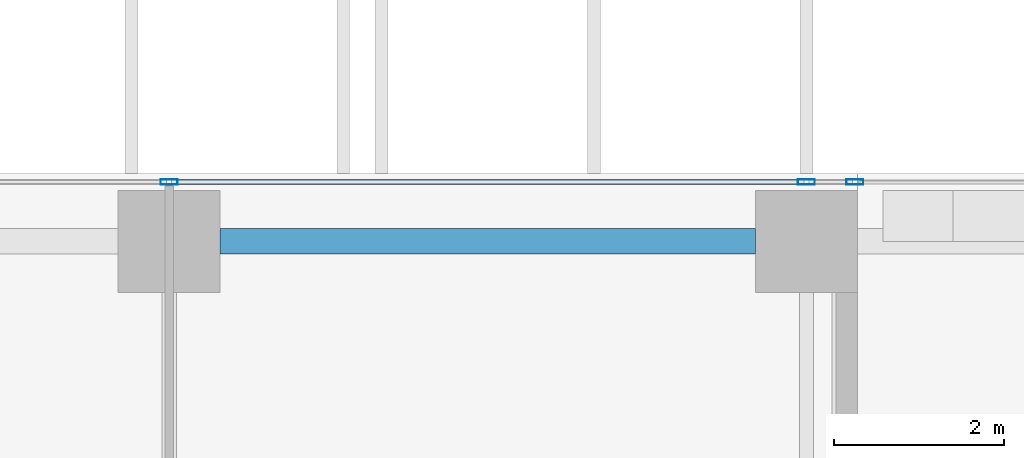
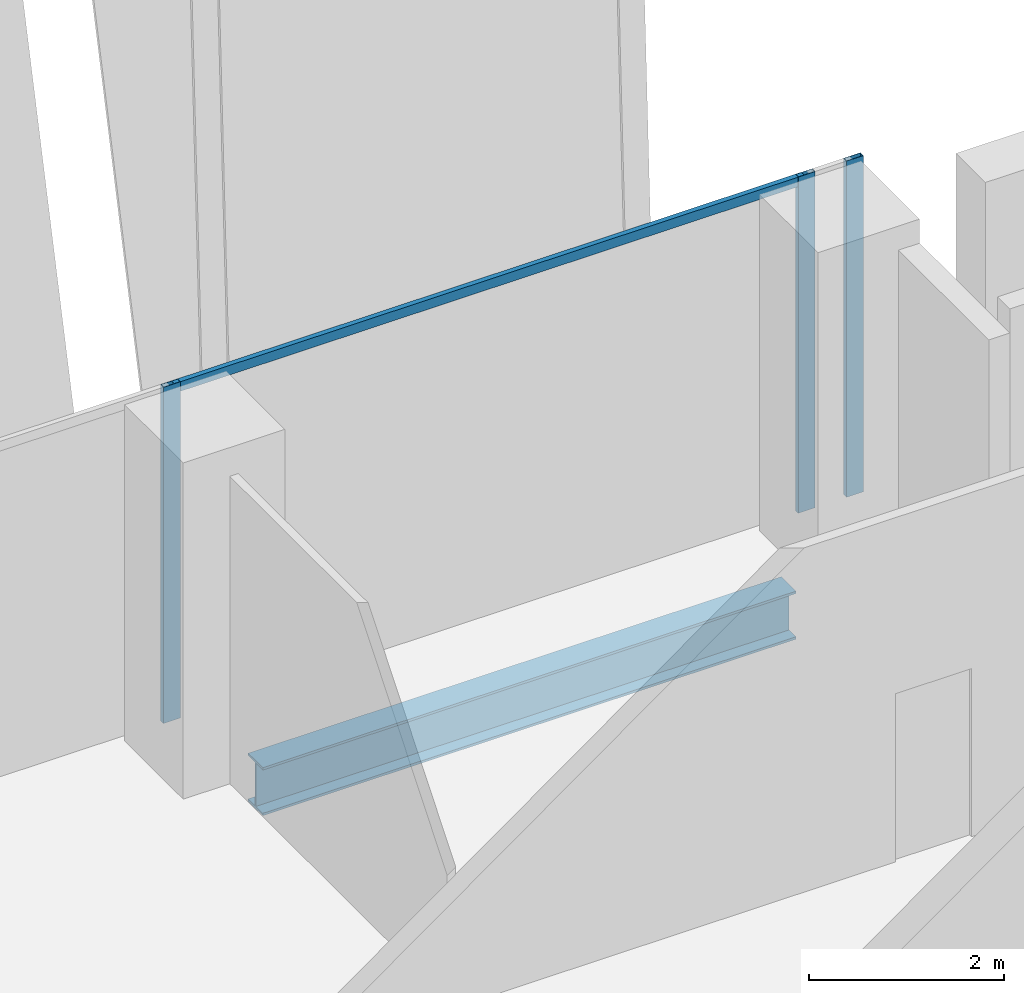
# One storey, part 15 of 35: 4 members, 1 beam, 1 element without a shape of its own.
"""IFC4 building model written with IfcOpenShell, lengths in metres."""

import ifcopenshell
import ifcopenshell.guid

model = None  # the IFC model being written
_history = None  # IfcOwnerHistory: only IFC2X3 demands one
_inside = {}  # id of a spatial element -> (the spatial element, [elements in it])
_under = {}  # id of a project, library or spatial element -> (it, [spatial elements below it])
_declared = {}  # id of a project -> (the project, [libraries it declares])
_typed = {}  # id of a type object -> (the type object, [elements of that type])
_made_of = {}  # id of a material, layer set ... -> (it, [elements and type objects made of it])


def new_model(schema):
    """Start an empty IFC model of exactly this schema.

    Asked for "IFC4X3", IfcOpenShell would pick the latest addendum, in which some entities
    have other attributes; the version numbers below select the first issue.
    IFC2X3 requires an IfcOwnerHistory on every rooted entity: one is made here for all.
    """
    global model, _history
    if schema == "IFC4X3":
        model = ifcopenshell.file(schema_version=(4, 3, 0, 0))
    else:
        model = ifcopenshell.file(schema=schema)
    _inside.clear()
    _under.clear()
    _declared.clear()
    _typed.clear()
    _made_of.clear()
    _history = None
    if model.schema == "IFC2X3":
        org = make("IfcOrganization", Name="unknown")
        user = make(
            "IfcPersonAndOrganization",
            ThePerson=make("IfcPerson", FamilyName="unknown"),
            TheOrganization=org,
        )
        app = make(
            "IfcApplication",
            ApplicationDeveloper=org,
            Version="unknown",
            ApplicationFullName="unknown",
            ApplicationIdentifier="unknown",
        )
        _history = make(
            "IfcOwnerHistory",
            OwningUser=user,
            OwningApplication=app,
            ChangeAction="ADDED",
            CreationDate=0,
        )
    return model


def make(cls, **values):
    """One entity of the class cls with the attributes given. An attribute that is None is left unset."""
    return model.create_entity(
        cls, **{name: value for name, value in values.items() if value is not None}
    )


def rooted(cls, **values):
    """An entity with a GlobalId (a new one), such as an element, a storey or a relation."""
    return make(cls, GlobalId=ifcopenshell.guid.new(), OwnerHistory=_history, **values)


def si_unit(unit_type, name, prefix=None):
    """IfcSIUnit, for example si_unit("LENGTHUNIT", "METRE", prefix="MILLI")."""
    return make("IfcSIUnit", UnitType=unit_type, Prefix=prefix, Name=name)


def assignment(units):
    """IfcUnitAssignment: the units of a project."""
    return None if units is None else make("IfcUnitAssignment", Units=units)


def point(xyz):
    """IfcCartesianPoint."""
    return None if xyz is None else make("IfcCartesianPoint", Coordinates=xyz)


def direction(xyz):
    """IfcDirection."""
    return None if xyz is None else make("IfcDirection", DirectionRatios=xyz)


def frame(location, z_axis=None, x_axis=None):
    """IfcAxis2Placement3D, a coordinate frame: its origin and axes. An axis left out is left unset."""
    return make(
        "IfcAxis2Placement3D",
        Location=point(location),
        Axis=direction(z_axis),
        RefDirection=direction(x_axis),
    )


def frame_2d(location, x_axis=None):
    """IfcAxis2Placement2D, a coordinate frame in the plane: its origin and x axis."""
    return make(
        "IfcAxis2Placement2D", Location=point(location), RefDirection=direction(x_axis)
    )


def origin():
    """The frame at (0, 0, 0) with its axes left unset."""
    return frame((0.0, 0.0, 0.0))


def origin_2d():
    """The frame at (0, 0) in the plane with its x axis left unset."""
    return frame_2d((0.0, 0.0))


def place(relative_to, where):
    """IfcLocalPlacement: puts the frame where relative to a parent placement (None: the world)."""
    return make(
        "IfcLocalPlacement", PlacementRelTo=relative_to, RelativePlacement=where
    )


def context(
    kind, dimensions, precision=None, world=None, true_north=None, identifier=None
):
    """IfcGeometricRepresentationContext, for example the 3D "Model" context."""
    return make(
        "IfcGeometricRepresentationContext",
        ContextIdentifier=identifier,
        ContextType=kind,
        CoordinateSpaceDimension=dimensions,
        Precision=precision,
        WorldCoordinateSystem=world,
        TrueNorth=true_north,
    )


def subcontext(parent, identifier, kind, view, scale=None):
    """IfcGeometricRepresentationSubContext, for example "Body" below "Model"."""
    return make(
        "IfcGeometricRepresentationSubContext",
        ContextIdentifier=identifier,
        ContextType=kind,
        ParentContext=parent,
        TargetScale=scale,
        TargetView=view,
    )


def project(units=None, contexts=None):
    """IfcProject with its units and contexts."""
    return rooted(
        "IfcProject",
        Name="project",
        RepresentationContexts=contexts,
        UnitsInContext=assignment(units),
    )


def spatial(cls, under=None, at=None, **own):
    """A site, building, storey or space (cls), placed at a placement, below another one or the project."""
    s = rooted(cls, ObjectPlacement=at, **own)
    if under is not None:
        _under.setdefault(under.id(), (under, []))[1].append(s)
    return s


def profile(cls, at=None, kind="AREA", **sizes):
    """A parametric profile (cls). Its sizes go by their IFC names, for example OverallWidth=200.0."""
    return make(cls, ProfileType=kind, Position=at, **sizes)


def hollow_rectangle(**sizes):
    """IfcRectangleHollowProfileDef."""
    return profile("IfcRectangleHollowProfileDef", **sizes)


def i_section(**sizes):
    """IfcIShapeProfileDef."""
    return profile("IfcIShapeProfileDef", **sizes)


def extrude(swept, where, along, depth):
    """IfcExtrudedAreaSolid: the profile swept, set in the frame where, extruded along a direction by depth."""
    return make(
        "IfcExtrudedAreaSolid",
        SweptArea=swept,
        Position=where,
        ExtrudedDirection=direction(along),
        Depth=depth,
    )


def shape(context_of_items, identifier, shape_type, items):
    """IfcShapeRepresentation: the items that make up one representation, for example the "Body"."""
    return make(
        "IfcShapeRepresentation",
        ContextOfItems=context_of_items,
        RepresentationIdentifier=identifier,
        RepresentationType=shape_type,
        Items=items,
    )


def source(mapping_origin, context_of_items, identifier, shape_type, items):
    """IfcRepresentationMap: a shape defined once, which mapped items show again and again."""
    return make(
        "IfcRepresentationMap",
        MappingOrigin=mapping_origin,
        MappedRepresentation=shape(context_of_items, identifier, shape_type, items),
    )


def transform(
    local_origin,
    x_axis=None,
    y_axis=None,
    z_axis=None,
    scale=None,
    scale2=None,
    scale3=None,
    uniform=True,
):
    """IfcCartesianTransformationOperator3D, or its non-uniform kind. x_axis, y_axis, z_axis: its Axis1, 2, 3."""
    if uniform:
        return make(
            "IfcCartesianTransformationOperator3D",
            Axis1=direction(x_axis),
            Axis2=direction(y_axis),
            LocalOrigin=point(local_origin),
            Scale=scale,
            Axis3=direction(z_axis),
        )
    return make(
        "IfcCartesianTransformationOperator3DnonUniform",
        Axis1=direction(x_axis),
        Axis2=direction(y_axis),
        LocalOrigin=point(local_origin),
        Scale=scale,
        Axis3=direction(z_axis),
        Scale2=scale2,
        Scale3=scale3,
    )


def mapped(mapping_source, mapping_target):
    """IfcMappedItem: shows the shape of a source again, moved by a transform."""
    return make(
        "IfcMappedItem", MappingSource=mapping_source, MappingTarget=mapping_target
    )


def material(Name=None, Category=None):
    """IfcMaterial."""
    return make("IfcMaterial", Name=Name, Category=Category)


def material_profile(
    of_material, cross_section, Name=None, Category=None, Priority=None
):
    """IfcMaterialProfile: a cross section and its material."""
    return make(
        "IfcMaterialProfile",
        Name=Name,
        Material=of_material,
        Profile=cross_section,
        Priority=Priority,
        Category=Category,
    )


def profile_set(profiles, Name=None, composite=None):
    """IfcMaterialProfileSet."""
    return make(
        "IfcMaterialProfileSet",
        Name=Name,
        MaterialProfiles=profiles,
        CompositeProfile=composite,
    )


def made_of(thing, what):
    """Note that an element or type object is made of a material, layer set ...; save() writes the relation."""
    if what is not None:
        _made_of.setdefault(what.id(), (what, []))[1].append(thing)
    return thing


def type_object(cls, material=None, **own):
    """A type object (cls), such as IfcWallType, which elements share."""
    return made_of(rooted(cls, **own), material)


def element(
    cls,
    number,
    at=None,
    inside=None,
    cuts=None,
    type_object=None,
    material=None,
    context=None,
    identifier="Body",
    shape_type=None,
    held_by="IfcProductDefinitionShape",
    body=None,
    shapes=None,
    **own,
):
    """One element of the class cls, such as IfcWall. Its Tag is "e" and its number.

    at: its placement. inside: the storey or other place that contains it. cuts: it is an
    opening in that element (IfcRelVoidsElement). A single representation is given by context,
    identifier, shape_type and body (its items); several are given by shapes. held_by: the class
    of the entity that holds the representations. save() writes the other relations.
    """
    e = rooted(cls, Tag="e%d" % number, ObjectPlacement=at, **own)
    if body is not None:
        shapes = [shape(context, identifier, shape_type, body)]
    if shapes is not None:
        e.Representation = make(held_by, Representations=shapes)
    if inside is not None:
        _inside.setdefault(inside.id(), (inside, []))[1].append(e)
    if cuts is not None:
        rooted(
            "IfcRelVoidsElement", RelatingBuildingElement=cuts, RelatedOpeningElement=e
        )
    if type_object is not None:
        _typed.setdefault(type_object.id(), (type_object, []))[1].append(e)
    return made_of(e, material)


def aggregate(whole, parts):
    """IfcRelAggregates: a whole, such as a stair, and the parts it consists of."""
    return rooted("IfcRelAggregates", RelatingObject=whole, RelatedObjects=parts)


def save(model, path):
    """Write the relations noted so far, then the file.

    IfcRelAggregates (storeys below a building ...), IfcRelContainedInSpatialStructure (elements
    in a storey), IfcRelDefinesByType, IfcRelAssociatesMaterial and IfcRelDeclares: one each for
    every whole, place, type object, material and project.
    """
    for whole, parts in _under.values():
        aggregate(whole, parts)
    for where, things in _inside.values():
        rooted(
            "IfcRelContainedInSpatialStructure",
            RelatedElements=things,
            RelatingStructure=where,
        )
    for kind, things in _typed.values():
        rooted("IfcRelDefinesByType", RelatedObjects=things, RelatingType=kind)
    for what, things in _made_of.values():
        rooted("IfcRelAssociatesMaterial", RelatedObjects=things, RelatingMaterial=what)
    for by, libraries in _declared.values():
        rooted("IfcRelDeclares", RelatingContext=by, RelatedDefinitions=libraries)
    model.write(path)


model = new_model("IFC4")

# Units and contexts
model_context = context("Model", 3, precision=1e-05, world=origin(), true_north=direction((0.0, 1.0)))
body_context = subcontext(model_context, "Body", "Model", "MODEL_VIEW")
ifc_project = project(units=[si_unit("LENGTHUNIT", "METRE"), si_unit("AREAUNIT", "SQUARE_METRE"), si_unit("VOLUMEUNIT", "CUBIC_METRE"), si_unit("PLANEANGLEUNIT", "RADIAN"), si_unit("MASSUNIT", "GRAM", prefix="KILO")], contexts=[model_context])

# Site, building, storey
site_placement = place(None, origin())
site = spatial("IfcSite", under=ifc_project, at=site_placement, CompositionType="ELEMENT")
building_placement = place(site_placement, origin())
building = spatial("IfcBuilding", under=site, at=building_placement, Name="Khomas Fold Tower", CompositionType="ELEMENT")
storey_placement = place(building_placement, frame((0.0, 0.0, 87.0)))
storey = spatial("IfcBuildingStorey", under=building, at=storey_placement, Name="L18", CompositionType="ELEMENT", Elevation=87.0)

# Beam
ifc_material_1 = material(Name="Steel S355", Category="steel")
ifc_material_profile_1 = material_profile(ifc_material_1, i_section(OverallWidth=0.300048828125, OverallDepth=0.60009765625, WebThickness=0.015380859375, FlangeThickness=0.030029296875, at=origin_2d()), Name="HE 600 B")
ifc_profile_set_1 = profile_set([ifc_material_profile_1], Name="Steel S355")
beam_type = type_object("IfcBeamType", Name="HE 600 B spandrel SB1", PredefinedType="SPANDREL", material=ifc_profile_set_1)
shared_shape_1 = source(origin(), body_context, "Body", "SweptSolid", [
    extrude(i_section(OverallWidth=0.300048828125, OverallDepth=0.60009765625, WebThickness=0.015380859375, FlangeThickness=0.030029296875, at=origin_2d()), origin(), (0.0, 0.0, 1.0), 6.2998046875),
])
beam_placement = place(storey_placement, frame((20.10009765625, 53.199951171875, -0.60009765625), z_axis=(1.0, 0.0, 0.0), x_axis=(0.0, 1.0, 0.0)))
element("IfcBeam", 1, at=beam_placement, inside=storey, type_object=beam_type, Name="SB1", PredefinedType="SPANDREL", context=body_context, shape_type="MappedRepresentation", body=[
    mapped(shared_shape_1, transform((0.0, 0.0, 0.0))),
])

# Curtain wall, members
ifc_material_2 = material(Name="Aluminium framed double glazing", Category="aluminium")
curtain_wall_type = type_object("IfcCurtainWallType", Name="SK-Unitised clear-glass wall, growing floors CW1", PredefinedType="NOTDEFINED", material=ifc_material_2)
curtain_wall_placement = place(storey_placement, origin())
curtain_wall = element("IfcCurtainWall", 2, at=curtain_wall_placement, inside=storey, type_object=curtain_wall_type, Name="CW1 run L18 06-1", PredefinedType="NOTDEFINED")
ifc_material_3 = material(Name="Aluminium", Category="aluminium")
ifc_material_profile_2 = material_profile(ifc_material_3, hollow_rectangle(XDim=0.06005859375, YDim=0.1201171875, WallThickness=0.00390625, at=origin_2d()), Name="SK-Unitised clear-glass wall, growing floors transom CW1-T")
ifc_profile_set_2 = profile_set([ifc_material_profile_2], Name="Aluminium")
member_type_1 = type_object("IfcMemberType", Name="SK-Unitised clear-glass wall, growing floors transom CW1-T", PredefinedType="USERDEFINED", material=ifc_profile_set_2)
shared_shape_2 = source(origin(), body_context, "Body", "SweptSolid", [
    extrude(hollow_rectangle(XDim=0.06005859375, YDim=0.1201171875, WallThickness=0.00390625, at=origin_2d()), origin(), (0.0, 0.0, 1.0), 7.43994140625),
])
member_1_placement = place(storey_placement, frame((26.969970703125, 53.89990234375, 4.139892578125), z_axis=(-1.0, 0.0, 0.0), x_axis=(0.0, -1.0, 0.0)))
member_1 = element("IfcMember", 3, at=member_1_placement, type_object=member_type_1, Name="CW1 transom 2", ObjectType="TRANSOM", PredefinedType="USERDEFINED", context=body_context, shape_type="MappedRepresentation", body=[
    mapped(shared_shape_2, transform((0.0, 0.0, 0.0))),
])
ifc_material_4 = material(Name="Aluminium", Category="aluminium")
ifc_material_profile_3 = material_profile(ifc_material_4, hollow_rectangle(XDim=0.06005859375, YDim=0.199951171875, WallThickness=0.00390625, at=origin_2d()), Name="SK-Unitised clear-glass wall, growing floors mullion CW1-M")
ifc_profile_set_3 = profile_set([ifc_material_profile_3], Name="Aluminium")
member_type_2 = type_object("IfcMemberType", Name="SK-Unitised clear-glass wall, growing floors mullion CW1-M", PredefinedType="MULLION", material=ifc_profile_set_3)
shared_shape_3 = source(origin(), body_context, "Body", "SweptSolid", [
    extrude(hollow_rectangle(XDim=0.06005859375, YDim=0.199951171875, WallThickness=0.00390625, at=origin_2d()), origin(), (0.0, 0.0, 1.0), 4.199951171875),
])
member_2_placement = place(storey_placement, frame((27.570068359375, 53.89990234375, 0.0), z_axis=(0.0, 0.0, 1.0), x_axis=(0.0, -1.0, 0.0)))
member_2 = element("IfcMember", 4, at=member_2_placement, type_object=member_type_2, Name="CW1 mullion 1", PredefinedType="MULLION", context=body_context, shape_type="MappedRepresentation", body=[
    mapped(shared_shape_3, transform((0.0, 0.0, 0.0))),
])
member_3_placement = place(storey_placement, frame((27.0, 53.89990234375, 0.0), z_axis=(0.0, 0.0, 1.0), x_axis=(0.0, -1.0, 0.0)))
member_3 = element("IfcMember", 5, at=member_3_placement, type_object=member_type_2, Name="CW1 mullion 2", PredefinedType="MULLION", context=body_context, shape_type="MappedRepresentation", body=[
    mapped(shared_shape_3, transform((0.0, 0.0, 0.0))),
])
member_4_placement = place(storey_placement, frame((19.5, 53.89990234375, 0.0), z_axis=(0.0, 0.0, 1.0), x_axis=(0.0, -1.0, 0.0)))
member_4 = element("IfcMember", 6, at=member_4_placement, type_object=member_type_2, Name="CW1 mullion 3", PredefinedType="MULLION", context=body_context, shape_type="MappedRepresentation", body=[
    mapped(shared_shape_3, transform((0.0, 0.0, 0.0))),
])
aggregate(curtain_wall, [member_2, member_3, member_4, member_1])

save(model, "model.ifc")
